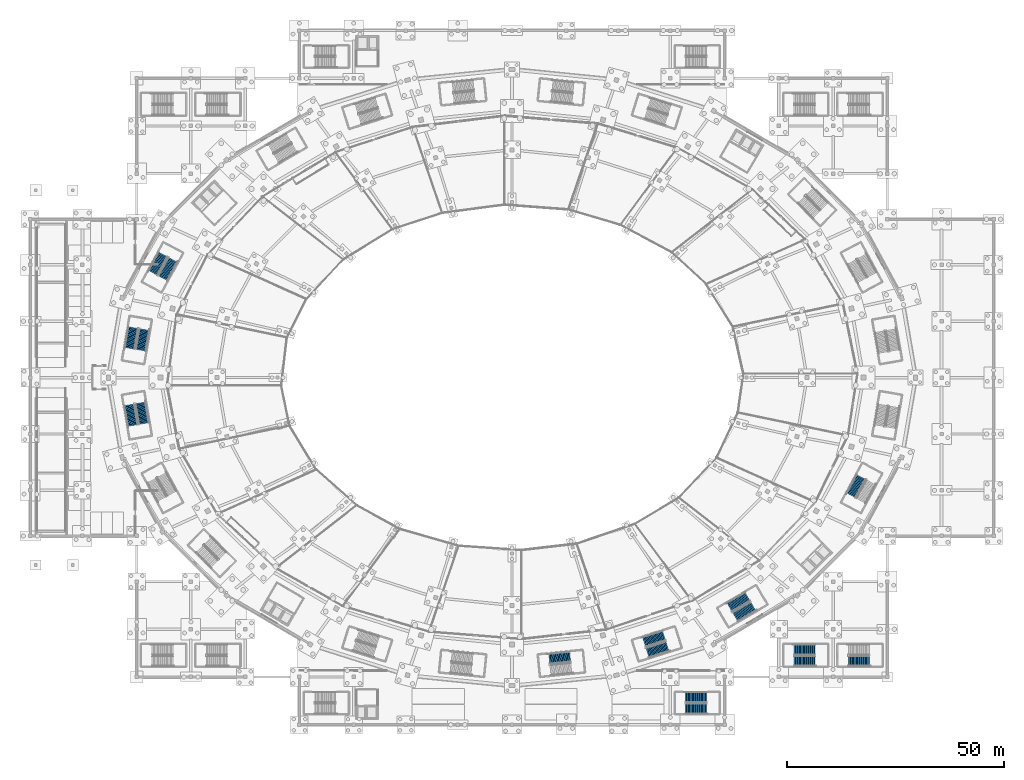
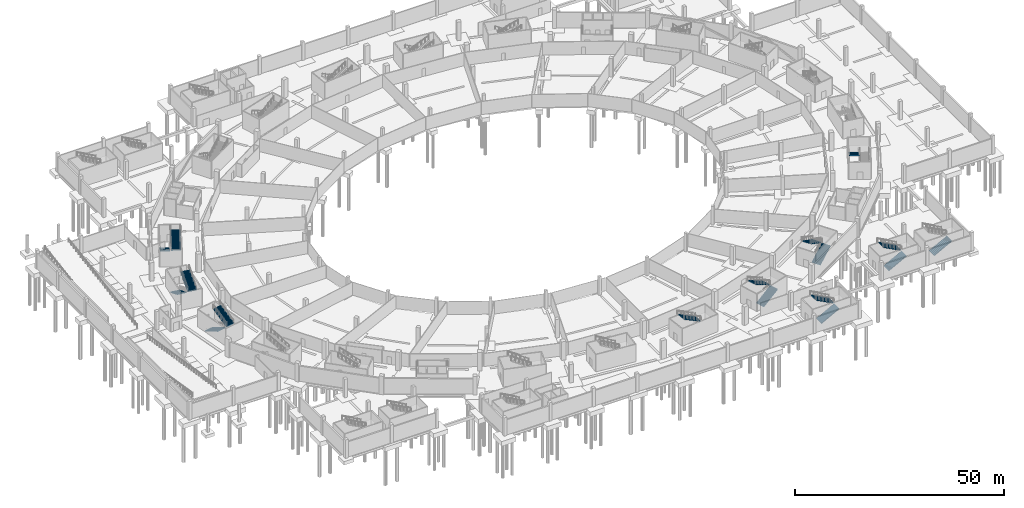
# One storey, part 49 of 74: 17 stair flights, 10 elements without a shape of their own.
"""IFC4 building model written with IfcOpenShell, lengths in metres."""

from ifc_helpers import new_model, si_unit, direction, frame, origin, place, context, subcontext, project, spatial, polyline, outline, extrude, material, type_object, element, aggregate, save


model = new_model("IFC4")

# Units and contexts
model_context = context("Model", 3, precision=1e-05, world=origin(), true_north=direction((0.0, 1.0)))
body_context = subcontext(model_context, "Body", "Model", "MODEL_VIEW")
ifc_project = project(units=[si_unit("LENGTHUNIT", "METRE"), si_unit("AREAUNIT", "SQUARE_METRE"), si_unit("VOLUMEUNIT", "CUBIC_METRE"), si_unit("PLANEANGLEUNIT", "RADIAN"), si_unit("MASSUNIT", "GRAM", prefix="KILO")], contexts=[model_context])

# Site, building, storey
site_placement = place(None, origin())
site = spatial("IfcSite", under=ifc_project, at=site_placement, CompositionType="ELEMENT")
building_placement = place(site_placement, origin())
building = spatial("IfcBuilding", under=site, at=building_placement, Name="Zlatoyarsky Gate Stadium", CompositionType="ELEMENT")
storey_placement = place(building_placement, frame((0.0, 0.0, -5.39990234375)))
storey = spatial("IfcBuildingStorey", under=building, at=storey_placement, Name="B1", CompositionType="ELEMENT", Elevation=-5.39990234375)

# Stair, stair flights
ifc_material = material(Name="Concrete C40/50", Category="concrete")
stair_type = type_object("IfcStairType", Name="CONCRETE DOGLEG EXIT STAIR H5400", PredefinedType="TWO_STRAIGHT_RUN_STAIR", material=ifc_material)
stair_1_placement = place(storey_placement, origin())
stair_1 = element("IfcStair", 1, at=stair_1_placement, inside=storey, type_object=stair_type, Name="B1 Exit Stair ST-06", PredefinedType="TWO_STRAIGHT_RUN_STAIR")
stair_flight_type = type_object("IfcStairFlightType", Name="CONCRETE STAIR FLIGHT 2400 H5400", PredefinedType="STRAIGHT", material=ifc_material)
stair_flight_1_placement = place(storey_placement, frame((30.5517578125, 108.37353515625, 0.0), z_axis=(0.0, 0.0, 1.0), x_axis=(-0.476890318595, -0.878962811518, 0.0)))
stair_flight_1 = element("IfcStairFlight", 2, at=stair_flight_1_placement, type_object=stair_flight_type, Name="ST-DG54 flight 1", NumberOfRisers=17, NumberOfTreads=16, PredefinedType="STRAIGHT", RiserHeight=0.158823529, TreadLength=0.3, context=body_context, shape_type="SweptSolid", body=[
    extrude(outline(polyline([(-0.006103515625, -0.180908203125), (-0.006103515625, 0.0), (0.0, 0.0), (0.0, 0.158935546875), (0.300048828125, 0.158935546875), (0.300048828125, 0.317626953125), (0.60009765625, 0.317626953125), (0.60009765625, 0.4765625), (0.89990234375, 0.4765625), (0.89990234375, 0.63525390625), (1.199951171875, 0.63525390625), (1.199951171875, 0.794189453125), (1.5, 0.794189453125), (1.5, 0.952880859375), (1.800048828125, 0.952880859375), (1.800048828125, 1.11181640625), (2.10009765625, 1.11181640625), (2.10009765625, 1.2705078125), (2.39990234375, 1.2705078125), (2.39990234375, 1.429443359375), (2.699951171875, 1.429443359375), (2.699951171875, 1.588134765625), (3.0, 1.588134765625), (3.0, 1.7470703125), (3.300048828125, 1.7470703125), (3.300048828125, 1.90576171875), (3.60009765625, 1.90576171875), (3.60009765625, 2.064697265625), (3.89990234375, 2.064697265625), (3.89990234375, 2.2236328125), (4.199951171875, 2.2236328125), (4.199951171875, 2.38232421875), (4.5, 2.38232421875), (4.5, 2.541259765625), (4.800048828125, 2.541259765625), (4.800048828125, 2.699951171875), (4.805908203125, 2.699951171875), (4.805908203125, 2.3603515625), (4.800048828125, 2.3603515625), (-0.006103515625, -0.180908203125)])), frame((0.0, 1.199951171875, 0.0), z_axis=(0.0, -1.0, 0.0), x_axis=(1.0, 0.0, 0.0)), (0.0, 0.0, 1.0), 2.39990234375),
])
stair_flight_2_placement = place(storey_placement, frame((30.548095703125, 102.91455078125, 2.699951171875), z_axis=(0.0, 0.0, 1.0), x_axis=(0.476890318595, 0.878962811518, 0.0)))
stair_flight_2 = element("IfcStairFlight", 3, at=stair_flight_2_placement, type_object=stair_flight_type, Name="ST-DG54 flight 2", NumberOfRisers=17, NumberOfTreads=16, PredefinedType="STRAIGHT", RiserHeight=0.158823529, TreadLength=0.3, context=body_context, shape_type="SweptSolid", body=[
    extrude(outline(polyline([(-0.006103515625, -0.180908203125), (-0.006103515625, 0.0), (0.0, 0.0), (0.0, 0.158935546875), (0.300048828125, 0.158935546875), (0.300048828125, 0.317626953125), (0.60009765625, 0.317626953125), (0.60009765625, 0.4765625), (0.89990234375, 0.4765625), (0.89990234375, 0.63525390625), (1.199951171875, 0.63525390625), (1.199951171875, 0.794189453125), (1.5, 0.794189453125), (1.5, 0.952880859375), (1.800048828125, 0.952880859375), (1.800048828125, 1.11181640625), (2.10009765625, 1.11181640625), (2.10009765625, 1.2705078125), (2.39990234375, 1.2705078125), (2.39990234375, 1.429443359375), (2.699951171875, 1.429443359375), (2.699951171875, 1.588134765625), (3.0, 1.588134765625), (3.0, 1.7470703125), (3.300048828125, 1.7470703125), (3.300048828125, 1.90576171875), (3.60009765625, 1.90576171875), (3.60009765625, 2.064697265625), (3.89990234375, 2.064697265625), (3.89990234375, 2.2236328125), (4.199951171875, 2.2236328125), (4.199951171875, 2.38232421875), (4.5, 2.38232421875), (4.5, 2.541259765625), (4.800048828125, 2.541259765625), (4.800048828125, 2.699951171875), (4.805908203125, 2.699951171875), (4.805908203125, 2.3603515625), (4.800048828125, 2.3603515625), (-0.006103515625, -0.180908203125)])), frame((0.0, 1.199951171875, 0.0), z_axis=(0.0, -1.0, 0.0), x_axis=(1.0, 0.0, 0.0)), (0.0, 0.0, 1.0), 2.39990234375),
])
aggregate(stair_1, [stair_flight_1, stair_flight_2])

stair_2_placement = place(storey_placement, origin())
stair_2 = element("IfcStair", 4, at=stair_2_placement, inside=storey, type_object=stair_type, Name="B1 Exit Stair ST-07", PredefinedType="TWO_STRAIGHT_RUN_STAIR")
stair_flight_3_placement = place(storey_placement, frame((22.80712890625, 73.71875, 0.0), z_axis=(0.0, 0.0, 1.0), x_axis=(0.169937754623, -0.985454798331, 0.0)))
stair_flight_3 = element("IfcStairFlight", 5, at=stair_flight_3_placement, type_object=stair_flight_type, Name="ST-DG54 flight 1", NumberOfRisers=17, NumberOfTreads=16, PredefinedType="STRAIGHT", RiserHeight=0.158823529, TreadLength=0.3, context=body_context, shape_type="SweptSolid", body=[
    extrude(outline(polyline([(-0.006103515625, -0.180908203125), (-0.006103515625, 0.0), (0.0, 0.0), (0.0, 0.158935546875), (0.300048828125, 0.158935546875), (0.300048828125, 0.317626953125), (0.60009765625, 0.317626953125), (0.60009765625, 0.4765625), (0.89990234375, 0.4765625), (0.89990234375, 0.63525390625), (1.199951171875, 0.63525390625), (1.199951171875, 0.794189453125), (1.5, 0.794189453125), (1.5, 0.952880859375), (1.800048828125, 0.952880859375), (1.800048828125, 1.11181640625), (2.10009765625, 1.11181640625), (2.10009765625, 1.2705078125), (2.39990234375, 1.2705078125), (2.39990234375, 1.429443359375), (2.699951171875, 1.429443359375), (2.699951171875, 1.588134765625), (3.0, 1.588134765625), (3.0, 1.7470703125), (3.300048828125, 1.7470703125), (3.300048828125, 1.90576171875), (3.60009765625, 1.90576171875), (3.60009765625, 2.064697265625), (3.89990234375, 2.064697265625), (3.89990234375, 2.2236328125), (4.199951171875, 2.2236328125), (4.199951171875, 2.38232421875), (4.5, 2.38232421875), (4.5, 2.541259765625), (4.800048828125, 2.541259765625), (4.800048828125, 2.699951171875), (4.805908203125, 2.699951171875), (4.805908203125, 2.3603515625), (4.800048828125, 2.3603515625), (-0.006103515625, -0.180908203125)])), frame((0.0, 1.199951171875, 0.0), z_axis=(0.0, -1.0, 0.0), x_axis=(1.0, 0.0, 0.0)), (0.0, 0.0, 1.0), 2.39990234375),
])
stair_flight_4_placement = place(storey_placement, frame((26.18505859375, 69.430419921875, 2.699951171875), z_axis=(0.0, 0.0, 1.0), x_axis=(-0.169937754623, 0.985454798331, 0.0)))
stair_flight_4 = element("IfcStairFlight", 6, at=stair_flight_4_placement, type_object=stair_flight_type, Name="ST-DG54 flight 2", NumberOfRisers=17, NumberOfTreads=16, PredefinedType="STRAIGHT", RiserHeight=0.158823529, TreadLength=0.3, context=body_context, shape_type="SweptSolid", body=[
    extrude(outline(polyline([(-0.006103515625, -0.180908203125), (-0.006103515625, 0.0), (0.0, 0.0), (0.0, 0.158935546875), (0.300048828125, 0.158935546875), (0.300048828125, 0.317626953125), (0.60009765625, 0.317626953125), (0.60009765625, 0.4765625), (0.89990234375, 0.4765625), (0.89990234375, 0.63525390625), (1.199951171875, 0.63525390625), (1.199951171875, 0.794189453125), (1.5, 0.794189453125), (1.5, 0.952880859375), (1.800048828125, 0.952880859375), (1.800048828125, 1.11181640625), (2.10009765625, 1.11181640625), (2.10009765625, 1.2705078125), (2.39990234375, 1.2705078125), (2.39990234375, 1.429443359375), (2.699951171875, 1.429443359375), (2.699951171875, 1.588134765625), (3.0, 1.588134765625), (3.0, 1.7470703125), (3.300048828125, 1.7470703125), (3.300048828125, 1.90576171875), (3.60009765625, 1.90576171875), (3.60009765625, 2.064697265625), (3.89990234375, 2.064697265625), (3.89990234375, 2.2236328125), (4.199951171875, 2.2236328125), (4.199951171875, 2.38232421875), (4.5, 2.38232421875), (4.5, 2.541259765625), (4.800048828125, 2.541259765625), (4.800048828125, 2.699951171875), (4.805908203125, 2.699951171875), (4.805908203125, 2.3603515625), (4.800048828125, 2.3603515625), (-0.006103515625, -0.180908203125)])), frame((0.0, 1.199951171875, 0.0), z_axis=(0.0, -1.0, 0.0), x_axis=(1.0, 0.0, 0.0)), (0.0, 0.0, 1.0), 2.39990234375),
])
aggregate(stair_2, [stair_flight_3, stair_flight_4])

# Stair, stair flight
stair_3_placement = place(storey_placement, origin())
stair_3 = element("IfcStair", 7, at=stair_3_placement, inside=storey, type_object=stair_type, Name="B1 Exit Stair ST-10", PredefinedType="TWO_STRAIGHT_RUN_STAIR")
stair_flight_5_placement = place(storey_placement, frame((124.39208984375, 15.64013671875, 2.699951171875), z_axis=(0.0, 0.0, 1.0), x_axis=(-0.994986861964, -0.100005722426, 0.0)))
stair_flight_5 = element("IfcStairFlight", 8, at=stair_flight_5_placement, type_object=stair_flight_type, Name="ST-DG54 flight 2", NumberOfRisers=17, NumberOfTreads=16, PredefinedType="STRAIGHT", RiserHeight=0.158823529, TreadLength=0.3, context=body_context, shape_type="SweptSolid", body=[
    extrude(outline(polyline([(-0.006103515625, -0.180908203125), (-0.006103515625, 0.0), (0.0, 0.0), (0.0, 0.158935546875), (0.300048828125, 0.158935546875), (0.300048828125, 0.317626953125), (0.60009765625, 0.317626953125), (0.60009765625, 0.4765625), (0.89990234375, 0.4765625), (0.89990234375, 0.63525390625), (1.199951171875, 0.63525390625), (1.199951171875, 0.794189453125), (1.5, 0.794189453125), (1.5, 0.952880859375), (1.800048828125, 0.952880859375), (1.800048828125, 1.11181640625), (2.10009765625, 1.11181640625), (2.10009765625, 1.2705078125), (2.39990234375, 1.2705078125), (2.39990234375, 1.429443359375), (2.699951171875, 1.429443359375), (2.699951171875, 1.588134765625), (3.0, 1.588134765625), (3.0, 1.7470703125), (3.300048828125, 1.7470703125), (3.300048828125, 1.90576171875), (3.60009765625, 1.90576171875), (3.60009765625, 2.064697265625), (3.89990234375, 2.064697265625), (3.89990234375, 2.2236328125), (4.199951171875, 2.2236328125), (4.199951171875, 2.38232421875), (4.5, 2.38232421875), (4.5, 2.541259765625), (4.800048828125, 2.541259765625), (4.800048828125, 2.699951171875), (4.805908203125, 2.699951171875), (4.805908203125, 2.3603515625), (4.800048828125, 2.3603515625), (-0.006103515625, -0.180908203125)])), frame((0.0, 1.199951171875, 0.0), z_axis=(0.0, -1.0, 0.0), x_axis=(1.0, 0.0, 0.0)), (0.0, 0.0, 1.0), 2.39990234375),
])
aggregate(stair_3, [stair_flight_5])

# Stair, stair flights
stair_4_placement = place(storey_placement, origin())
stair_4 = element("IfcStair", 9, at=stair_4_placement, inside=storey, type_object=stair_type, Name="B1 Exit Stair ST-11", PredefinedType="TWO_STRAIGHT_RUN_STAIR")
stair_flight_6_placement = place(storey_placement, frame((162.459228515625, 24.8310546875, 0.0), z_axis=(0.0, 0.0, 1.0), x_axis=(0.86284821159, 0.505463118096, 0.0)))
stair_flight_6 = element("IfcStairFlight", 10, at=stair_flight_6_placement, type_object=stair_flight_type, Name="ST-DG54 flight 1", NumberOfRisers=17, NumberOfTreads=16, PredefinedType="STRAIGHT", RiserHeight=0.158823529, TreadLength=0.3, context=body_context, shape_type="SweptSolid", body=[
    extrude(outline(polyline([(-0.006103515625, -0.180908203125), (-0.006103515625, 0.0), (0.0, 0.0), (0.0, 0.158935546875), (0.300048828125, 0.158935546875), (0.300048828125, 0.317626953125), (0.60009765625, 0.317626953125), (0.60009765625, 0.4765625), (0.89990234375, 0.4765625), (0.89990234375, 0.63525390625), (1.199951171875, 0.63525390625), (1.199951171875, 0.794189453125), (1.5, 0.794189453125), (1.5, 0.952880859375), (1.800048828125, 0.952880859375), (1.800048828125, 1.11181640625), (2.10009765625, 1.11181640625), (2.10009765625, 1.2705078125), (2.39990234375, 1.2705078125), (2.39990234375, 1.429443359375), (2.699951171875, 1.429443359375), (2.699951171875, 1.588134765625), (3.0, 1.588134765625), (3.0, 1.7470703125), (3.300048828125, 1.7470703125), (3.300048828125, 1.90576171875), (3.60009765625, 1.90576171875), (3.60009765625, 2.064697265625), (3.89990234375, 2.064697265625), (3.89990234375, 2.2236328125), (4.199951171875, 2.2236328125), (4.199951171875, 2.38232421875), (4.5, 2.38232421875), (4.5, 2.541259765625), (4.800048828125, 2.541259765625), (4.800048828125, 2.699951171875), (4.805908203125, 2.699951171875), (4.805908203125, 2.3603515625), (4.800048828125, 2.3603515625), (-0.006103515625, -0.180908203125)])), frame((0.0, 1.199951171875, 0.0), z_axis=(0.0, -1.0, 0.0), x_axis=(1.0, 0.0, 0.0)), (0.0, 0.0, 1.0), 2.39990234375),
])
stair_flight_7_placement = place(storey_placement, frame((165.28662109375, 29.500732421875, 2.699951171875), z_axis=(0.0, 0.0, 1.0), x_axis=(-0.86284821159, -0.505463118096, 0.0)))
stair_flight_7 = element("IfcStairFlight", 11, at=stair_flight_7_placement, type_object=stair_flight_type, Name="ST-DG54 flight 2", NumberOfRisers=17, NumberOfTreads=16, PredefinedType="STRAIGHT", RiserHeight=0.158823529, TreadLength=0.3, context=body_context, shape_type="SweptSolid", body=[
    extrude(outline(polyline([(-0.006103515625, -0.180908203125), (-0.006103515625, 0.0), (0.0, 0.0), (0.0, 0.158935546875), (0.300048828125, 0.158935546875), (0.300048828125, 0.317626953125), (0.60009765625, 0.317626953125), (0.60009765625, 0.4765625), (0.89990234375, 0.4765625), (0.89990234375, 0.63525390625), (1.199951171875, 0.63525390625), (1.199951171875, 0.794189453125), (1.5, 0.794189453125), (1.5, 0.952880859375), (1.800048828125, 0.952880859375), (1.800048828125, 1.11181640625), (2.10009765625, 1.11181640625), (2.10009765625, 1.2705078125), (2.39990234375, 1.2705078125), (2.39990234375, 1.429443359375), (2.699951171875, 1.429443359375), (2.699951171875, 1.588134765625), (3.0, 1.588134765625), (3.0, 1.7470703125), (3.300048828125, 1.7470703125), (3.300048828125, 1.90576171875), (3.60009765625, 1.90576171875), (3.60009765625, 2.064697265625), (3.89990234375, 2.064697265625), (3.89990234375, 2.2236328125), (4.199951171875, 2.2236328125), (4.199951171875, 2.38232421875), (4.5, 2.38232421875), (4.5, 2.541259765625), (4.800048828125, 2.541259765625), (4.800048828125, 2.699951171875), (4.805908203125, 2.699951171875), (4.805908203125, 2.3603515625), (4.800048828125, 2.3603515625), (-0.006103515625, -0.180908203125)])), frame((0.0, 1.199951171875, 0.0), z_axis=(0.0, -1.0, 0.0), x_axis=(1.0, 0.0, 0.0)), (0.0, 0.0, 1.0), 2.39990234375),
])
aggregate(stair_4, [stair_flight_6, stair_flight_7])

# Stair, stair flight
stair_5_placement = place(storey_placement, origin())
stair_5 = element("IfcStair", 12, at=stair_5_placement, inside=storey, type_object=stair_type, Name="B1 Exit Stair ST-12", PredefinedType="TWO_STRAIGHT_RUN_STAIR")
stair_flight_8_placement = place(storey_placement, frame((191.451904296875, 57.08544921875, 2.699951171875), z_axis=(0.0, 0.0, 1.0), x_axis=(-0.476890318595, -0.878962811518, 0.0)))
stair_flight_8 = element("IfcStairFlight", 13, at=stair_flight_8_placement, type_object=stair_flight_type, Name="ST-DG54 flight 2", NumberOfRisers=17, NumberOfTreads=16, PredefinedType="STRAIGHT", RiserHeight=0.158823529, TreadLength=0.3, context=body_context, shape_type="SweptSolid", body=[
    extrude(outline(polyline([(-0.006103515625, -0.180908203125), (-0.006103515625, 0.0), (0.0, 0.0), (0.0, 0.158935546875), (0.300048828125, 0.158935546875), (0.300048828125, 0.317626953125), (0.60009765625, 0.317626953125), (0.60009765625, 0.4765625), (0.89990234375, 0.4765625), (0.89990234375, 0.63525390625), (1.199951171875, 0.63525390625), (1.199951171875, 0.794189453125), (1.5, 0.794189453125), (1.5, 0.952880859375), (1.800048828125, 0.952880859375), (1.800048828125, 1.11181640625), (2.10009765625, 1.11181640625), (2.10009765625, 1.2705078125), (2.39990234375, 1.2705078125), (2.39990234375, 1.429443359375), (2.699951171875, 1.429443359375), (2.699951171875, 1.588134765625), (3.0, 1.588134765625), (3.0, 1.7470703125), (3.300048828125, 1.7470703125), (3.300048828125, 1.90576171875), (3.60009765625, 1.90576171875), (3.60009765625, 2.064697265625), (3.89990234375, 2.064697265625), (3.89990234375, 2.2236328125), (4.199951171875, 2.2236328125), (4.199951171875, 2.38232421875), (4.5, 2.38232421875), (4.5, 2.541259765625), (4.800048828125, 2.541259765625), (4.800048828125, 2.699951171875), (4.805908203125, 2.699951171875), (4.805908203125, 2.3603515625), (4.800048828125, 2.3603515625), (-0.006103515625, -0.180908203125)])), frame((0.0, 1.199951171875, 0.0), z_axis=(0.0, -1.0, 0.0), x_axis=(1.0, 0.0, 0.0)), (0.0, 0.0, 1.0), 2.39990234375),
])
aggregate(stair_5, [stair_flight_8])

# Stair, stair flights
stair_6_placement = place(storey_placement, origin())
stair_6 = element("IfcStair", 14, at=stair_6_placement, inside=storey, type_object=stair_type, Name="B1 Exit Stair ST-16", PredefinedType="TWO_STRAIGHT_RUN_STAIR")
stair_flight_9_placement = place(storey_placement, frame((142.23828125, 16.58203125, 0.0), z_axis=(0.0, 0.0, 1.0), x_axis=(0.953463118711, 0.301509670257, 0.0)))
stair_flight_9 = element("IfcStairFlight", 15, at=stair_flight_9_placement, type_object=stair_flight_type, Name="ST-DG54 flight 1", NumberOfRisers=17, NumberOfTreads=16, PredefinedType="STRAIGHT", RiserHeight=0.158823529, TreadLength=0.3, context=body_context, shape_type="SweptSolid", body=[
    extrude(outline(polyline([(-0.006103515625, -0.180908203125), (-0.006103515625, 0.0), (0.0, 0.0), (0.0, 0.158935546875), (0.300048828125, 0.158935546875), (0.300048828125, 0.317626953125), (0.60009765625, 0.317626953125), (0.60009765625, 0.4765625), (0.89990234375, 0.4765625), (0.89990234375, 0.63525390625), (1.199951171875, 0.63525390625), (1.199951171875, 0.794189453125), (1.5, 0.794189453125), (1.5, 0.952880859375), (1.800048828125, 0.952880859375), (1.800048828125, 1.11181640625), (2.10009765625, 1.11181640625), (2.10009765625, 1.2705078125), (2.39990234375, 1.2705078125), (2.39990234375, 1.429443359375), (2.699951171875, 1.429443359375), (2.699951171875, 1.588134765625), (3.0, 1.588134765625), (3.0, 1.7470703125), (3.300048828125, 1.7470703125), (3.300048828125, 1.90576171875), (3.60009765625, 1.90576171875), (3.60009765625, 2.064697265625), (3.89990234375, 2.064697265625), (3.89990234375, 2.2236328125), (4.199951171875, 2.2236328125), (4.199951171875, 2.38232421875), (4.5, 2.38232421875), (4.5, 2.541259765625), (4.800048828125, 2.541259765625), (4.800048828125, 2.699951171875), (4.805908203125, 2.699951171875), (4.805908203125, 2.3603515625), (4.800048828125, 2.3603515625), (-0.006103515625, -0.180908203125)])), frame((0.0, 1.199951171875, 0.0), z_axis=(0.0, -1.0, 0.0), x_axis=(1.0, 0.0, 0.0)), (0.0, 0.0, 1.0), 2.39990234375),
])
stair_flight_10_placement = place(storey_placement, frame((146.03076171875, 20.50830078125, 2.699951171875), z_axis=(0.0, 0.0, 1.0), x_axis=(-0.953463118711, -0.301509670257, 0.0)))
stair_flight_10 = element("IfcStairFlight", 16, at=stair_flight_10_placement, type_object=stair_flight_type, Name="ST-DG54 flight 2", NumberOfRisers=17, NumberOfTreads=16, PredefinedType="STRAIGHT", RiserHeight=0.158823529, TreadLength=0.3, context=body_context, shape_type="SweptSolid", body=[
    extrude(outline(polyline([(-0.006103515625, -0.180908203125), (-0.006103515625, 0.0), (0.0, 0.0), (0.0, 0.158935546875), (0.300048828125, 0.158935546875), (0.300048828125, 0.317626953125), (0.60009765625, 0.317626953125), (0.60009765625, 0.4765625), (0.89990234375, 0.4765625), (0.89990234375, 0.63525390625), (1.199951171875, 0.63525390625), (1.199951171875, 0.794189453125), (1.5, 0.794189453125), (1.5, 0.952880859375), (1.800048828125, 0.952880859375), (1.800048828125, 1.11181640625), (2.10009765625, 1.11181640625), (2.10009765625, 1.2705078125), (2.39990234375, 1.2705078125), (2.39990234375, 1.429443359375), (2.699951171875, 1.429443359375), (2.699951171875, 1.588134765625), (3.0, 1.588134765625), (3.0, 1.7470703125), (3.300048828125, 1.7470703125), (3.300048828125, 1.90576171875), (3.60009765625, 1.90576171875), (3.60009765625, 2.064697265625), (3.89990234375, 2.064697265625), (3.89990234375, 2.2236328125), (4.199951171875, 2.2236328125), (4.199951171875, 2.38232421875), (4.5, 2.38232421875), (4.5, 2.541259765625), (4.800048828125, 2.541259765625), (4.800048828125, 2.699951171875), (4.805908203125, 2.699951171875), (4.805908203125, 2.3603515625), (4.800048828125, 2.3603515625), (-0.006103515625, -0.180908203125)])), frame((0.0, 1.199951171875, 0.0), z_axis=(0.0, -1.0, 0.0), x_axis=(1.0, 0.0, 0.0)), (0.0, 0.0, 1.0), 2.39990234375),
])
aggregate(stair_6, [stair_flight_9, stair_flight_10])

stair_7_placement = place(storey_placement, origin())
stair_7 = element("IfcStair", 17, at=stair_7_placement, inside=storey, type_object=stair_type, Name="B1 Exit Stair ST-18", PredefinedType="TWO_STRAIGHT_RUN_STAIR")
stair_flight_11_placement = place(storey_placement, frame((23.707763671875, 91.504150390625, 0.0), z_axis=(0.0, 0.0, 1.0), x_axis=(-0.169937754623, -0.985454798331, 0.0)))
stair_flight_11 = element("IfcStairFlight", 18, at=stair_flight_11_placement, type_object=stair_flight_type, Name="ST-DG54 flight 1", NumberOfRisers=17, NumberOfTreads=16, PredefinedType="STRAIGHT", RiserHeight=0.158823529, TreadLength=0.3, context=body_context, shape_type="SweptSolid", body=[
    extrude(outline(polyline([(-0.006103515625, -0.180908203125), (-0.006103515625, 0.0), (0.0, 0.0), (0.0, 0.158935546875), (0.300048828125, 0.158935546875), (0.300048828125, 0.317626953125), (0.60009765625, 0.317626953125), (0.60009765625, 0.4765625), (0.89990234375, 0.4765625), (0.89990234375, 0.63525390625), (1.199951171875, 0.63525390625), (1.199951171875, 0.794189453125), (1.5, 0.794189453125), (1.5, 0.952880859375), (1.800048828125, 0.952880859375), (1.800048828125, 1.11181640625), (2.10009765625, 1.11181640625), (2.10009765625, 1.2705078125), (2.39990234375, 1.2705078125), (2.39990234375, 1.429443359375), (2.699951171875, 1.429443359375), (2.699951171875, 1.588134765625), (3.0, 1.588134765625), (3.0, 1.7470703125), (3.300048828125, 1.7470703125), (3.300048828125, 1.90576171875), (3.60009765625, 1.90576171875), (3.60009765625, 2.064697265625), (3.89990234375, 2.064697265625), (3.89990234375, 2.2236328125), (4.199951171875, 2.2236328125), (4.199951171875, 2.38232421875), (4.5, 2.38232421875), (4.5, 2.541259765625), (4.800048828125, 2.541259765625), (4.800048828125, 2.699951171875), (4.805908203125, 2.699951171875), (4.805908203125, 2.3603515625), (4.800048828125, 2.3603515625), (-0.006103515625, -0.180908203125)])), frame((0.0, 1.199951171875, 0.0), z_axis=(0.0, -1.0, 0.0), x_axis=(1.0, 0.0, 0.0)), (0.0, 0.0, 1.0), 2.39990234375),
])
stair_flight_12_placement = place(storey_placement, frame((25.454345703125, 86.33203125, 2.699951171875), z_axis=(0.0, 0.0, 1.0), x_axis=(0.169937754623, 0.985454798331, 0.0)))
stair_flight_12 = element("IfcStairFlight", 19, at=stair_flight_12_placement, type_object=stair_flight_type, Name="ST-DG54 flight 2", NumberOfRisers=17, NumberOfTreads=16, PredefinedType="STRAIGHT", RiserHeight=0.158823529, TreadLength=0.3, context=body_context, shape_type="SweptSolid", body=[
    extrude(outline(polyline([(-0.006103515625, -0.180908203125), (-0.006103515625, 0.0), (0.0, 0.0), (0.0, 0.158935546875), (0.300048828125, 0.158935546875), (0.300048828125, 0.317626953125), (0.60009765625, 0.317626953125), (0.60009765625, 0.4765625), (0.89990234375, 0.4765625), (0.89990234375, 0.63525390625), (1.199951171875, 0.63525390625), (1.199951171875, 0.794189453125), (1.5, 0.794189453125), (1.5, 0.952880859375), (1.800048828125, 0.952880859375), (1.800048828125, 1.11181640625), (2.10009765625, 1.11181640625), (2.10009765625, 1.2705078125), (2.39990234375, 1.2705078125), (2.39990234375, 1.429443359375), (2.699951171875, 1.429443359375), (2.699951171875, 1.588134765625), (3.0, 1.588134765625), (3.0, 1.7470703125), (3.300048828125, 1.7470703125), (3.300048828125, 1.90576171875), (3.60009765625, 1.90576171875), (3.60009765625, 2.064697265625), (3.89990234375, 2.064697265625), (3.89990234375, 2.2236328125), (4.199951171875, 2.2236328125), (4.199951171875, 2.38232421875), (4.5, 2.38232421875), (4.5, 2.541259765625), (4.800048828125, 2.541259765625), (4.800048828125, 2.699951171875), (4.805908203125, 2.699951171875), (4.805908203125, 2.3603515625), (4.800048828125, 2.3603515625), (-0.006103515625, -0.180908203125)])), frame((0.0, 1.199951171875, 0.0), z_axis=(0.0, -1.0, 0.0), x_axis=(1.0, 0.0, 0.0)), (0.0, 0.0, 1.0), 2.39990234375),
])
aggregate(stair_7, [stair_flight_11, stair_flight_12])

stair_8_placement = place(storey_placement, origin())
stair_8 = element("IfcStair", 20, at=stair_8_placement, inside=storey, type_object=stair_type, Name="B1 Exit Stair ST-23", PredefinedType="TWO_STRAIGHT_RUN_STAIR")
stair_flight_13_placement = place(storey_placement, frame((176.050048828125, 14.699951171875, 0.0), z_axis=(0.0, 0.0, 1.0), x_axis=(1.0, 0.0, 0.0)))
stair_flight_13 = element("IfcStairFlight", 21, at=stair_flight_13_placement, type_object=stair_flight_type, Name="ST-DG54 flight 1", NumberOfRisers=17, NumberOfTreads=16, PredefinedType="STRAIGHT", RiserHeight=0.158823529, TreadLength=0.3, context=body_context, shape_type="SweptSolid", body=[
    extrude(outline(polyline([(-0.006103515625, -0.180908203125), (-0.006103515625, 0.0), (0.0, 0.0), (0.0, 0.158935546875), (0.300048828125, 0.158935546875), (0.300048828125, 0.317626953125), (0.60009765625, 0.317626953125), (0.60009765625, 0.4765625), (0.89990234375, 0.4765625), (0.89990234375, 0.63525390625), (1.199951171875, 0.63525390625), (1.199951171875, 0.794189453125), (1.5, 0.794189453125), (1.5, 0.952880859375), (1.800048828125, 0.952880859375), (1.800048828125, 1.11181640625), (2.10009765625, 1.11181640625), (2.10009765625, 1.2705078125), (2.39990234375, 1.2705078125), (2.39990234375, 1.429443359375), (2.699951171875, 1.429443359375), (2.699951171875, 1.588134765625), (3.0, 1.588134765625), (3.0, 1.7470703125), (3.300048828125, 1.7470703125), (3.300048828125, 1.90576171875), (3.60009765625, 1.90576171875), (3.60009765625, 2.064697265625), (3.89990234375, 2.064697265625), (3.89990234375, 2.2236328125), (4.199951171875, 2.2236328125), (4.199951171875, 2.38232421875), (4.5, 2.38232421875), (4.5, 2.541259765625), (4.800048828125, 2.541259765625), (4.800048828125, 2.699951171875), (4.805908203125, 2.699951171875), (4.805908203125, 2.3603515625), (4.800048828125, 2.3603515625), (-0.006103515625, -0.180908203125)])), frame((0.0, 1.199951171875, 0.0), z_axis=(0.0, -1.0, 0.0), x_axis=(1.0, 0.0, 0.0)), (0.0, 0.0, 1.0), 2.39990234375),
])
stair_flight_14_placement = place(storey_placement, frame((180.85009765625, 17.300048828125, 2.699951171875), z_axis=(0.0, 0.0, 1.0), x_axis=(-1.0, 0.0, 0.0)))
stair_flight_14 = element("IfcStairFlight", 22, at=stair_flight_14_placement, type_object=stair_flight_type, Name="ST-DG54 flight 2", NumberOfRisers=17, NumberOfTreads=16, PredefinedType="STRAIGHT", RiserHeight=0.158823529, TreadLength=0.3, context=body_context, shape_type="SweptSolid", body=[
    extrude(outline(polyline([(-0.006103515625, -0.180908203125), (-0.006103515625, 0.0), (0.0, 0.0), (0.0, 0.158935546875), (0.300048828125, 0.158935546875), (0.300048828125, 0.317626953125), (0.60009765625, 0.317626953125), (0.60009765625, 0.4765625), (0.89990234375, 0.4765625), (0.89990234375, 0.63525390625), (1.199951171875, 0.63525390625), (1.199951171875, 0.794189453125), (1.5, 0.794189453125), (1.5, 0.952880859375), (1.800048828125, 0.952880859375), (1.800048828125, 1.11181640625), (2.10009765625, 1.11181640625), (2.10009765625, 1.2705078125), (2.39990234375, 1.2705078125), (2.39990234375, 1.429443359375), (2.699951171875, 1.429443359375), (2.699951171875, 1.588134765625), (3.0, 1.588134765625), (3.0, 1.7470703125), (3.300048828125, 1.7470703125), (3.300048828125, 1.90576171875), (3.60009765625, 1.90576171875), (3.60009765625, 2.064697265625), (3.89990234375, 2.064697265625), (3.89990234375, 2.2236328125), (4.199951171875, 2.2236328125), (4.199951171875, 2.38232421875), (4.5, 2.38232421875), (4.5, 2.541259765625), (4.800048828125, 2.541259765625), (4.800048828125, 2.699951171875), (4.805908203125, 2.699951171875), (4.805908203125, 2.3603515625), (4.800048828125, 2.3603515625), (-0.006103515625, -0.180908203125)])), frame((0.0, 1.199951171875, 0.0), z_axis=(0.0, -1.0, 0.0), x_axis=(1.0, 0.0, 0.0)), (0.0, 0.0, 1.0), 2.39990234375),
])
aggregate(stair_8, [stair_flight_13, stair_flight_14])

# Stair, stair flight
stair_9_placement = place(storey_placement, origin())
stair_9 = element("IfcStair", 23, at=stair_9_placement, inside=storey, type_object=stair_type, Name="B1 Exit Stair ST-24", PredefinedType="TWO_STRAIGHT_RUN_STAIR")
stair_flight_15_placement = place(storey_placement, frame((188.550048828125, 14.699951171875, 0.0), z_axis=(0.0, 0.0, 1.0), x_axis=(1.0, 0.0, 0.0)))
stair_flight_15 = element("IfcStairFlight", 24, at=stair_flight_15_placement, type_object=stair_flight_type, Name="ST-DG54 flight 1", NumberOfRisers=17, NumberOfTreads=16, PredefinedType="STRAIGHT", RiserHeight=0.158823529, TreadLength=0.3, context=body_context, shape_type="SweptSolid", body=[
    extrude(outline(polyline([(-0.006103515625, -0.180908203125), (-0.006103515625, 0.0), (0.0, 0.0), (0.0, 0.158935546875), (0.300048828125, 0.158935546875), (0.300048828125, 0.317626953125), (0.60009765625, 0.317626953125), (0.60009765625, 0.4765625), (0.89990234375, 0.4765625), (0.89990234375, 0.63525390625), (1.199951171875, 0.63525390625), (1.199951171875, 0.794189453125), (1.5, 0.794189453125), (1.5, 0.952880859375), (1.800048828125, 0.952880859375), (1.800048828125, 1.11181640625), (2.10009765625, 1.11181640625), (2.10009765625, 1.2705078125), (2.39990234375, 1.2705078125), (2.39990234375, 1.429443359375), (2.699951171875, 1.429443359375), (2.699951171875, 1.588134765625), (3.0, 1.588134765625), (3.0, 1.7470703125), (3.300048828125, 1.7470703125), (3.300048828125, 1.90576171875), (3.60009765625, 1.90576171875), (3.60009765625, 2.064697265625), (3.89990234375, 2.064697265625), (3.89990234375, 2.2236328125), (4.199951171875, 2.2236328125), (4.199951171875, 2.38232421875), (4.5, 2.38232421875), (4.5, 2.541259765625), (4.800048828125, 2.541259765625), (4.800048828125, 2.699951171875), (4.805908203125, 2.699951171875), (4.805908203125, 2.3603515625), (4.800048828125, 2.3603515625), (-0.006103515625, -0.180908203125)])), frame((0.0, 1.199951171875, 0.0), z_axis=(0.0, -1.0, 0.0), x_axis=(1.0, 0.0, 0.0)), (0.0, 0.0, 1.0), 2.39990234375),
])
aggregate(stair_9, [stair_flight_15])

# Stair, stair flights
stair_10_placement = place(storey_placement, origin())
stair_10 = element("IfcStair", 25, at=stair_10_placement, inside=storey, type_object=stair_type, Name="B1 Exit Stair ST-30", PredefinedType="TWO_STRAIGHT_RUN_STAIR")
stair_flight_16_placement = place(storey_placement, frame((151.050048828125, 3.699951171875, 0.0), z_axis=(0.0, 0.0, 1.0), x_axis=(1.0, 0.0, 0.0)))
stair_flight_16 = element("IfcStairFlight", 26, at=stair_flight_16_placement, type_object=stair_flight_type, Name="ST-DG54 flight 1", NumberOfRisers=17, NumberOfTreads=16, PredefinedType="STRAIGHT", RiserHeight=0.158823529, TreadLength=0.3, context=body_context, shape_type="SweptSolid", body=[
    extrude(outline(polyline([(-0.006103515625, -0.180908203125), (-0.006103515625, 0.0), (0.0, 0.0), (0.0, 0.158935546875), (0.300048828125, 0.158935546875), (0.300048828125, 0.317626953125), (0.60009765625, 0.317626953125), (0.60009765625, 0.4765625), (0.89990234375, 0.4765625), (0.89990234375, 0.63525390625), (1.199951171875, 0.63525390625), (1.199951171875, 0.794189453125), (1.5, 0.794189453125), (1.5, 0.952880859375), (1.800048828125, 0.952880859375), (1.800048828125, 1.11181640625), (2.10009765625, 1.11181640625), (2.10009765625, 1.2705078125), (2.39990234375, 1.2705078125), (2.39990234375, 1.429443359375), (2.699951171875, 1.429443359375), (2.699951171875, 1.588134765625), (3.0, 1.588134765625), (3.0, 1.7470703125), (3.300048828125, 1.7470703125), (3.300048828125, 1.90576171875), (3.60009765625, 1.90576171875), (3.60009765625, 2.064697265625), (3.89990234375, 2.064697265625), (3.89990234375, 2.2236328125), (4.199951171875, 2.2236328125), (4.199951171875, 2.38232421875), (4.5, 2.38232421875), (4.5, 2.541259765625), (4.800048828125, 2.541259765625), (4.800048828125, 2.699951171875), (4.805908203125, 2.699951171875), (4.805908203125, 2.3603515625), (4.800048828125, 2.3603515625), (-0.006103515625, -0.180908203125)])), frame((0.0, 1.199951171875, 0.0), z_axis=(0.0, -1.0, 0.0), x_axis=(1.0, 0.0, 0.0)), (0.0, 0.0, 1.0), 2.39990234375),
])
stair_flight_17_placement = place(storey_placement, frame((155.85009765625, 6.300048828125, 2.699951171875), z_axis=(0.0, 0.0, 1.0), x_axis=(-1.0, 0.0, 0.0)))
stair_flight_17 = element("IfcStairFlight", 27, at=stair_flight_17_placement, type_object=stair_flight_type, Name="ST-DG54 flight 2", NumberOfRisers=17, NumberOfTreads=16, PredefinedType="STRAIGHT", RiserHeight=0.158823529, TreadLength=0.3, context=body_context, shape_type="SweptSolid", body=[
    extrude(outline(polyline([(-0.006103515625, -0.180908203125), (-0.006103515625, 0.0), (0.0, 0.0), (0.0, 0.158935546875), (0.300048828125, 0.158935546875), (0.300048828125, 0.317626953125), (0.60009765625, 0.317626953125), (0.60009765625, 0.4765625), (0.89990234375, 0.4765625), (0.89990234375, 0.63525390625), (1.199951171875, 0.63525390625), (1.199951171875, 0.794189453125), (1.5, 0.794189453125), (1.5, 0.952880859375), (1.800048828125, 0.952880859375), (1.800048828125, 1.11181640625), (2.10009765625, 1.11181640625), (2.10009765625, 1.2705078125), (2.39990234375, 1.2705078125), (2.39990234375, 1.429443359375), (2.699951171875, 1.429443359375), (2.699951171875, 1.588134765625), (3.0, 1.588134765625), (3.0, 1.7470703125), (3.300048828125, 1.7470703125), (3.300048828125, 1.90576171875), (3.60009765625, 1.90576171875), (3.60009765625, 2.064697265625), (3.89990234375, 2.064697265625), (3.89990234375, 2.2236328125), (4.199951171875, 2.2236328125), (4.199951171875, 2.38232421875), (4.5, 2.38232421875), (4.5, 2.541259765625), (4.800048828125, 2.541259765625), (4.800048828125, 2.699951171875), (4.805908203125, 2.699951171875), (4.805908203125, 2.3603515625), (4.800048828125, 2.3603515625), (-0.006103515625, -0.180908203125)])), frame((0.0, 1.199951171875, 0.0), z_axis=(0.0, -1.0, 0.0), x_axis=(1.0, 0.0, 0.0)), (0.0, 0.0, 1.0), 2.39990234375),
])
aggregate(stair_10, [stair_flight_16, stair_flight_17])

save(model, "model.ifc")
